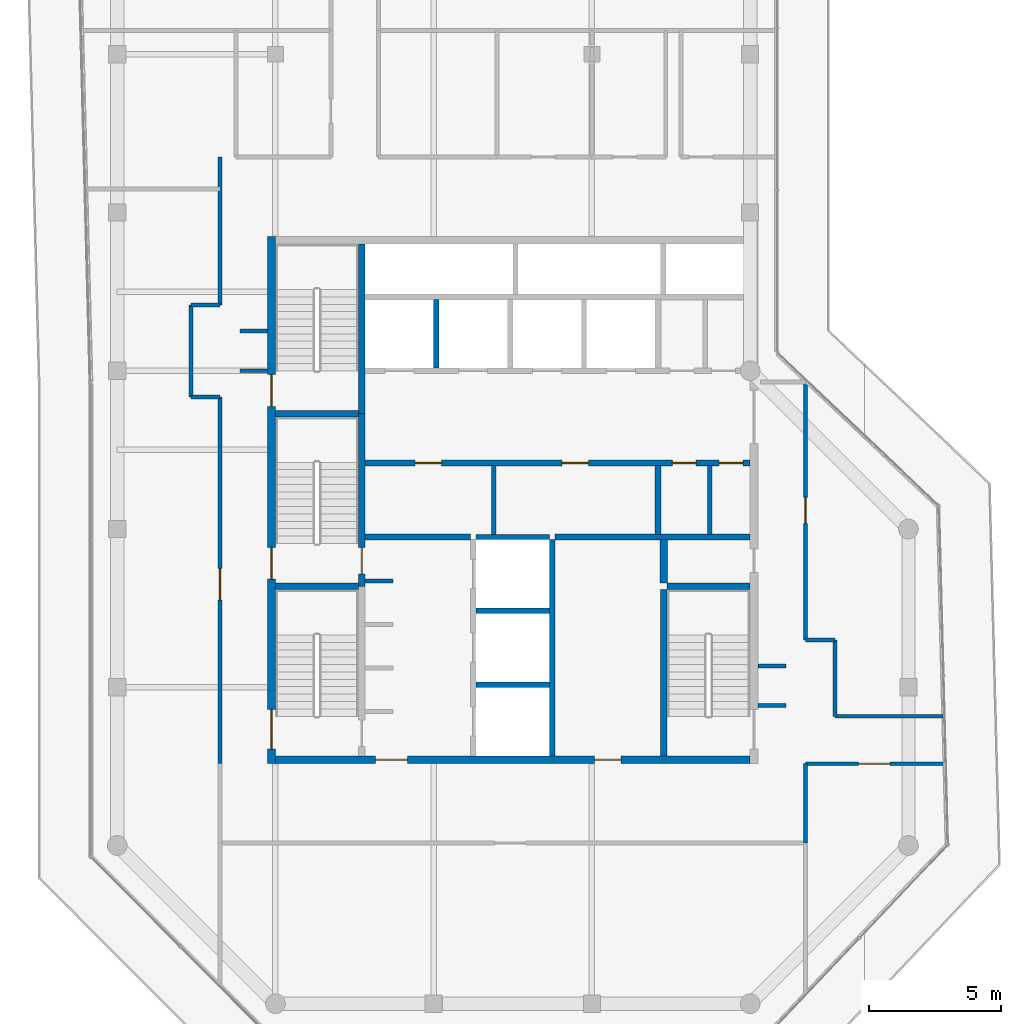
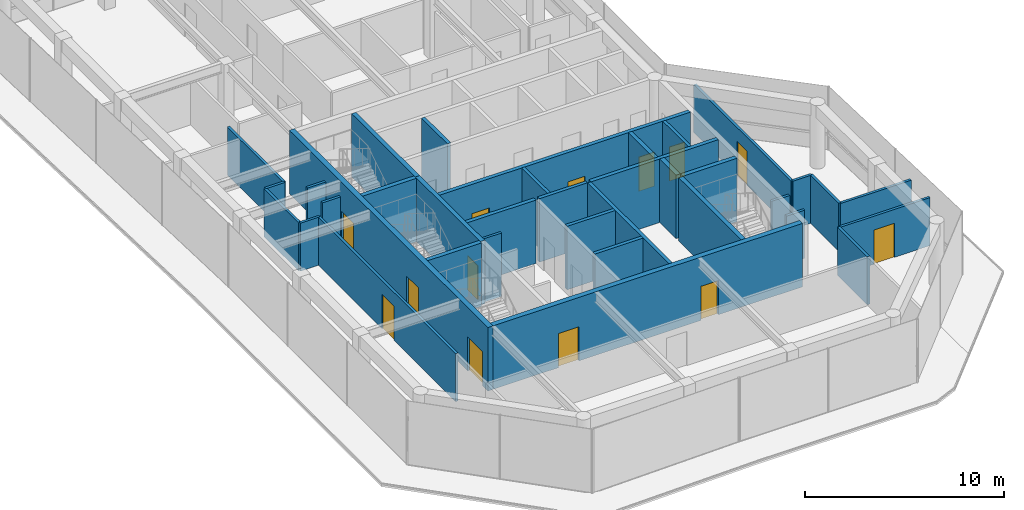
# One storey, part 16 of 20: 36 walls, 13 doors, 13 openings.
"""IFC4 building model written with IfcOpenShell, lengths in metres."""

from ifc_helpers import new_model, si_unit, direction, frame, frame_2d, origin, place, context, subcontext, project, spatial, rectangle, extrude, material, layer, layer_set, type_object, element, fill, save


model = new_model("IFC4")

# Units and contexts
model_context = context("Model", 3, precision=1e-05, world=origin(), true_north=direction((0.0, 1.0)))
body_context = subcontext(model_context, "Body", "Model", "MODEL_VIEW")
ifc_project = project(units=[si_unit("LENGTHUNIT", "METRE"), si_unit("AREAUNIT", "SQUARE_METRE"), si_unit("VOLUMEUNIT", "CUBIC_METRE"), si_unit("PLANEANGLEUNIT", "RADIAN"), si_unit("MASSUNIT", "GRAM", prefix="KILO")], contexts=[model_context])

# Site, building, storey
site_placement = place(None, origin())
site = spatial("IfcSite", under=ifc_project, at=site_placement, CompositionType="ELEMENT")
building_placement = place(site_placement, origin())
building = spatial("IfcBuilding", under=site, at=building_placement, Name="Welwitschia Terrace Campus", CompositionType="ELEMENT")
storey_placement = place(building_placement, frame((0.0, 0.0, 327.199951171875)))
storey = spatial("IfcBuildingStorey", under=building, at=storey_placement, Name="L73", CompositionType="ELEMENT", Elevation=327.199951171875)

# Walls
ifc_material_1 = material(Name="Concrete C32/40", Category="concrete")
ifc_layer_1 = layer(ifc_material_1, 0.175048828125)
ifc_layer_set_1 = layer_set([ifc_layer_1], Name="Concrete C32/40")
wall_type_1 = type_object("IfcWallType", Name="Core partition 175 Concrete C32/40", PredefinedType="PARTITIONING", material=ifc_layer_set_1)
for number, where, z_axis, x_axis, name in (
    (1, (14.27490234375, 13.800048828125, 0.0), (0.0, 0.0, 1.0), (0.0, 1.0, 0.0), "Core partition"),
    (2, (22.469970703125, 13.800048828125, 0.0), (0.0, 0.0, 1.0), (0.0, 1.0, 0.0), "Core partition"),
):
    element("IfcWall", number, at=place(storey_placement, frame(where, z_axis=z_axis, x_axis=x_axis)), inside=storey, type_object=wall_type_1, Name=name, PredefinedType="PARTITIONING", context=body_context, shape_type="SweptSolid", body=[
        extrude(rectangle(XDim=2.599853515625, YDim=0.175048828125, at=frame_2d((1.2998046875, 0.0))), origin(), (0.0, 0.0, 1.0), 3.900146484375),
    ])
ifc_material_2 = material(Name="Concrete C32/40", Category="concrete")
ifc_layer_2 = layer(ifc_material_2, 0.22509765625)
ifc_layer_set_2 = layer_set([ifc_layer_2], Name="Concrete C32/40")
wall_type_2 = type_object("IfcWallType", Name="Core partition 225 Concrete C32/40", PredefinedType="PARTITIONING", material=ifc_layer_set_2)
wall_1_placement = place(storey_placement, frame((9.39990234375, 13.699951171875, 0.0), z_axis=(0.0, 0.0, 1.0), x_axis=(1.0, 0.0, 0.0)))
element("IfcWall", 3, at=wall_1_placement, inside=storey, type_object=wall_type_2, Name="Core partition", PredefinedType="PARTITIONING", context=body_context, shape_type="SweptSolid", body=[
    extrude(rectangle(XDim=4.0, YDim=0.22509765625, at=frame_2d((2.0, 0.0))), origin(), (0.0, 0.0, 1.0), 3.900146484375),
])
wall_2_placement = place(storey_placement, frame((16.60009765625, 13.699951171875, 0.0), z_axis=(0.0, 0.0, 1.0), x_axis=(1.0, 0.0, 0.0)))
element("IfcWall", 4, at=wall_2_placement, inside=storey, type_object=wall_type_2, Name="Core partition", PredefinedType="PARTITIONING", context=body_context, shape_type="SweptSolid", body=[
    extrude(rectangle(XDim=7.39990234375, YDim=0.22509765625, at=frame_2d((3.699951171875, 0.0))), origin(), (0.0, 0.0, 1.0), 3.900146484375),
])

# Wall, openings, doors
wall_3_placement = place(storey_placement, frame((9.39990234375, 16.5, 0.0), z_axis=(0.0, 0.0, 1.0), x_axis=(1.0, 0.0, 0.0)))
wall_3 = element("IfcWall", 5, at=wall_3_placement, inside=storey, type_object=wall_type_2, Name="Core partition", PredefinedType="PARTITIONING", context=body_context, shape_type="SweptSolid", body=[
    extrude(rectangle(XDim=14.60009765625, YDim=0.22509765625, at=frame_2d((7.300048828125, 0.0))), origin(), (0.0, 0.0, 1.0), 3.900146484375),
])
opening_1_placement = place(wall_3_placement, frame((1.89990234375, 0.0, 0.0)))
opening_1 = element("IfcOpeningElement", 6, at=opening_1_placement, cuts=wall_3, Name="Opening DR10", PredefinedType="OPENING", context=body_context, shape_type="SweptSolid", body=[
    extrude(rectangle(XDim=1.0, YDim=2.10009765625, at=frame_2d((0.5, 1.050048828125))), frame((0.0, 0.12255859375, 0.0), z_axis=(0.0, -1.0, 0.0), x_axis=(1.0, 0.0, 0.0)), (0.0, 0.0, 1.0), 0.2451171875),
])
opening_2_placement = place(wall_3_placement, frame((7.47509765625, 0.0, 0.0)))
opening_2 = element("IfcOpeningElement", 7, at=opening_2_placement, cuts=wall_3, Name="Opening DR10", PredefinedType="OPENING", context=body_context, shape_type="SweptSolid", body=[
    extrude(rectangle(XDim=1.0, YDim=2.10009765625, at=frame_2d((0.5, 1.050048828125))), frame((0.0, 0.12255859375, 0.0), z_axis=(0.0, -1.0, 0.0), x_axis=(1.0, 0.0, 0.0)), (0.0, 0.0, 1.0), 0.2451171875),
])
opening_3_placement = place(wall_3_placement, frame((11.6474609375, 0.0, 0.0)))
opening_3 = element("IfcOpeningElement", 8, at=opening_3_placement, cuts=wall_3, Name="Opening DR09", PredefinedType="OPENING", context=body_context, shape_type="SweptSolid", body=[
    extrude(rectangle(XDim=0.89990234375, YDim=2.10009765625, at=frame_2d((0.449951171875, 1.050048828125))), frame((0.0, 0.12255859375, 0.0), z_axis=(0.0, -1.0, 0.0), x_axis=(1.0, 0.0, 0.0)), (0.0, 0.0, 1.0), 0.2451171875),
])
opening_4_placement = place(wall_3_placement, frame((13.422607421875, 0.0, 0.0)))
opening_4 = element("IfcOpeningElement", 9, at=opening_4_placement, cuts=wall_3, Name="Opening DR09", PredefinedType="OPENING", context=body_context, shape_type="SweptSolid", body=[
    extrude(rectangle(XDim=0.89990234375, YDim=2.10009765625, at=frame_2d((0.449951171875, 1.050048828125))), frame((0.0, 0.12255859375, 0.0), z_axis=(0.0, -1.0, 0.0), x_axis=(1.0, 0.0, 0.0)), (0.0, 0.0, 1.0), 0.2451171875),
])
ifc_material_3 = material(Name="Steel S275", Category="steel")
door_type_1 = type_object("IfcDoorType", Name="Core door DR09", OperationType="SINGLE_SWING_LEFT", PredefinedType="DOOR", material=ifc_material_3)
door_1_placement = place(opening_3_placement, origin())
door_1 = element("IfcDoor", 10, at=door_1_placement, inside=storey, type_object=door_type_1, Name="Door EL1-D", OperationType="SINGLE_SWING_RIGHT", OverallHeight=2.10009765625, OverallWidth=0.89990234375, PredefinedType="DOOR", context=body_context, shape_type="SweptSolid", body=[
    extrude(rectangle(XDim=0.89990234375, YDim=2.10009765625, at=frame_2d((0.449951171875, 1.050048828125))), frame((0.0, 0.02490234375, 0.0), z_axis=(0.0, -1.0, 0.0), x_axis=(1.0, 0.0, 0.0)), (0.0, 0.0, 1.0), 0.050048828125),
])
fill(opening_3, door_1)
door_2_placement = place(opening_4_placement, origin())
door_2 = element("IfcDoor", 11, at=door_2_placement, inside=storey, type_object=door_type_1, Name="Door EL2-D", OperationType="SINGLE_SWING_RIGHT", OverallHeight=2.10009765625, OverallWidth=0.89990234375, PredefinedType="DOOR", context=body_context, shape_type="SweptSolid", body=[
    extrude(rectangle(XDim=0.89990234375, YDim=2.10009765625, at=frame_2d((0.449951171875, 1.050048828125))), frame((0.0, 0.02490234375, 0.0), z_axis=(0.0, -1.0, 0.0), x_axis=(1.0, 0.0, 0.0)), (0.0, 0.0, 1.0), 0.050048828125),
])
fill(opening_4, door_2)
ifc_material_4 = material(Name="Steel S275", Category="steel")
door_type_2 = type_object("IfcDoorType", Name="Core door DR10", OperationType="SINGLE_SWING_LEFT", PredefinedType="DOOR", material=ifc_material_4)
door_3_placement = place(opening_1_placement, origin())
door_3 = element("IfcDoor", 12, at=door_3_placement, inside=storey, type_object=door_type_2, Name="Door BAYL1-D", OperationType="SINGLE_SWING_LEFT", OverallHeight=2.10009765625, OverallWidth=1.0, PredefinedType="DOOR", context=body_context, shape_type="SweptSolid", body=[
    extrude(rectangle(XDim=1.0, YDim=2.10009765625, at=frame_2d((0.5, 1.050048828125))), frame((0.0, 0.02490234375, 0.0), z_axis=(0.0, -1.0, 0.0), x_axis=(1.0, 0.0, 0.0)), (0.0, 0.0, 1.0), 0.050048828125),
])
fill(opening_1, door_3)
door_4_placement = place(opening_2_placement, origin())
door_4 = element("IfcDoor", 13, at=door_4_placement, inside=storey, type_object=door_type_2, Name="Door BAYL2-D", OperationType="SINGLE_SWING_RIGHT", OverallHeight=2.10009765625, OverallWidth=1.0, PredefinedType="DOOR", context=body_context, shape_type="SweptSolid", body=[
    extrude(rectangle(XDim=1.0, YDim=2.10009765625, at=frame_2d((0.5, 1.050048828125))), frame((0.0, 0.02490234375, 0.0), z_axis=(0.0, -1.0, 0.0), x_axis=(1.0, 0.0, 0.0)), (0.0, 0.0, 1.0), 0.050048828125),
])
fill(opening_2, door_4)

# Walls
wall_4_placement = place(storey_placement, frame((20.5, 13.800048828125, 0.0), z_axis=(0.0, 0.0, 1.0), x_axis=(0.0, 1.0, 0.0)))
element("IfcWall", 14, at=wall_4_placement, inside=storey, type_object=wall_type_2, Name="Core partition", PredefinedType="PARTITIONING", context=body_context, shape_type="SweptSolid", body=[
    extrude(rectangle(XDim=2.599853515625, YDim=0.22509765625, at=frame_2d((1.2998046875, 0.0))), origin(), (0.0, 0.0, 1.0), 3.900146484375),
])
ifc_material_5 = material(Name="Concrete C32/40", Category="concrete")
ifc_layer_3 = layer(ifc_material_5, 0.27490234375)
ifc_layer_set_3 = layer_set([ifc_layer_3], Name="Concrete C32/40")
wall_type_3 = type_object("IfcWallType", Name="Core partition 275 Concrete C32/40", PredefinedType="PARTITIONING", material=ifc_layer_set_3)
wall_5_placement = place(storey_placement, frame((20.72509765625, 11.949951171875, 0.0), z_axis=(0.0, 0.0, 1.0), x_axis=(0.0, 1.0, 0.0)))
element("IfcWall", 15, at=wall_5_placement, inside=storey, type_object=wall_type_3, Name="Core partition", PredefinedType="PARTITIONING", context=body_context, shape_type="SweptSolid", body=[
    extrude(rectangle(XDim=1.650146484375, YDim=0.27490234375, at=frame_2d((0.8251953125, 0.0))), origin(), (0.0, 0.0, 1.0), 3.900146484375),
])
ifc_material_6 = material(Name="Concrete C50/60", Category="concrete")
ifc_layer_4 = layer(ifc_material_6, 0.14990234375)
ifc_layer_set_4 = layer_set([ifc_layer_4], Name="Concrete C50/60")
wall_type_4 = type_object("IfcWallType", Name="Core wall 150 Concrete C50/60", PredefinedType="SHEAR", material=ifc_layer_set_4)
wall_6_placement = place(storey_placement, frame((9.39990234375, 12.02490234375, 0.0), z_axis=(0.0, 0.0, 1.0), x_axis=(1.0, 0.0, 0.0)))
element("IfcWall", 16, at=wall_6_placement, inside=storey, type_object=wall_type_4, Name="Core wall", PredefinedType="SHEAR", context=body_context, shape_type="SweptSolid", body=[
    extrude(rectangle(XDim=1.050048828125, YDim=0.14990234375, at=frame_2d((0.52490234375, 0.0))), origin(), (0.0, 0.0, 1.0), 3.900146484375),
])
ifc_material_7 = material(Name="Concrete C50/60", Category="concrete")
ifc_layer_5 = layer(ifc_material_7, 0.199951171875)
ifc_layer_set_5 = layer_set([ifc_layer_5], Name="Concrete C50/60")
wall_type_5 = type_object("IfcWallType", Name="Core wall 200 Concrete C50/60", PredefinedType="SHEAR", material=ifc_layer_set_5)
for number, where, z_axis, x_axis, name in (
    (17, (13.60009765625, 8.10009765625, 0.0), (0.0, 0.0, 1.0), (1.0, 0.0, 0.0), "Core wall"),
    (18, (13.60009765625, 10.89990234375, 0.0), (0.0, 0.0, 1.0), (1.0, 0.0, 0.0), "Core wall"),
    (19, (13.60009765625, 13.699951171875, 0.0), (0.0, 0.0, 1.0), (1.0, 0.0, 0.0), "Core wall"),
):
    element("IfcWall", number, at=place(storey_placement, frame(where, z_axis=z_axis, x_axis=x_axis)), inside=storey, type_object=wall_type_5, Name=name, PredefinedType="SHEAR", context=body_context, shape_type="SweptSolid", body=[
        extrude(rectangle(XDim=2.7998046875, YDim=0.199951171875, at=frame_2d((1.39990234375, 0.0))), origin(), (0.0, 0.0, 1.0), 3.900146484375),
    ])
wall_7_placement = place(storey_placement, frame((16.5, 5.39990234375, 0.0), z_axis=(0.0, 0.0, 1.0), x_axis=(0.0, 1.0, 0.0)))
element("IfcWall", 20, at=wall_7_placement, inside=storey, type_object=wall_type_5, Name="Core wall", PredefinedType="SHEAR", context=body_context, shape_type="SweptSolid", body=[
    extrude(rectangle(XDim=8.2001953125, YDim=0.199951171875, at=frame_2d((4.10009765625, 0.0))), origin(), (0.0, 0.0, 1.0), 3.900146484375),
])
ifc_material_8 = material(Name="Concrete C50/60", Category="concrete")
ifc_layer_6 = layer(ifc_material_8, 0.25)
ifc_layer_set_6 = layer_set([ifc_layer_6], Name="Concrete C50/60")
wall_type_6 = type_object("IfcWallType", Name="Core wall 250 Concrete C50/60", PredefinedType="SHEAR", material=ifc_layer_set_6)
for number, where, z_axis, x_axis, name in (
    (21, (6.0, 11.824951171875, 0.0), (0.0, 0.0, 1.0), (1.0, 0.0, 0.0), "Core wall"),
    (22, (20.85009765625, 11.824951171875, 0.0), (0.0, 0.0, 1.0), (1.0, 0.0, 0.0), "Core wall"),
    (23, (6.0, 18.375, 0.0), (0.0, 0.0, 1.0), (1.0, 0.0, 0.0), "Core wall"),
):
    element("IfcWall", number, at=place(storey_placement, frame(where, z_axis=z_axis, x_axis=x_axis)), inside=storey, type_object=wall_type_6, Name=name, PredefinedType="SHEAR", context=body_context, shape_type="SweptSolid", body=[
        extrude(rectangle(XDim=3.14990234375, YDim=0.25, at=frame_2d((1.574951171875, 0.0))), origin(), (0.0, 0.0, 1.0), 3.900146484375),
    ])

# Wall, opening, door
wall_8_placement = place(storey_placement, frame((9.27490234375, 18.375, 0.0), z_axis=(0.0, 0.0, 1.0), x_axis=(0.0, -1.0, 0.0)))
wall_8 = element("IfcWall", 24, at=wall_8_placement, inside=storey, type_object=wall_type_6, Name="Core wall", PredefinedType="SHEAR", context=body_context, shape_type="SweptSolid", body=[
    extrude(rectangle(XDim=6.550048828125, YDim=0.25, at=frame_2d((3.27490234375, 0.0))), origin(), (0.0, 0.0, 1.0), 3.900146484375),
])
opening_5_placement = place(wall_8_placement, frame((5.074951171875, 0.0, 0.0)))
opening_5 = element("IfcOpeningElement", 25, at=opening_5_placement, cuts=wall_8, Name="Opening DS10", PredefinedType="OPENING", context=body_context, shape_type="SweptSolid", body=[
    extrude(rectangle(XDim=1.0, YDim=2.10009765625, at=frame_2d((0.5, 1.050048828125))), frame((0.0, 0.135009765625, 0.0), z_axis=(0.0, -1.0, 0.0), x_axis=(1.0, 0.0, 0.0)), (0.0, 0.0, 1.0), 0.27001953125),
])
ifc_material_9 = material(Name="Steel S275", Category="steel")
door_type_3 = type_object("IfcDoorType", Name="Core door DS10", OperationType="SINGLE_SWING_LEFT", PredefinedType="DOOR", material=ifc_material_9)
door_5_placement = place(opening_5_placement, origin())
door_5 = element("IfcDoor", 26, at=door_5_placement, inside=storey, type_object=door_type_3, Name="Door S3-FL", OperationType="SINGLE_SWING_RIGHT", OverallHeight=2.10009765625, OverallWidth=1.0, PredefinedType="DOOR", context=body_context, shape_type="SweptSolid", body=[
    extrude(rectangle(XDim=1.0, YDim=2.10009765625, at=frame_2d((0.5, 1.050048828125))), frame((0.0, 0.02490234375, 0.0), z_axis=(0.0, -1.0, 0.0), x_axis=(1.0, 0.0, 0.0)), (0.0, 0.0, 1.0), 0.050048828125),
])
fill(opening_5, door_5)

# Walls
wall_9_placement = place(storey_placement, frame((9.27490234375, 18.375, 0.0), z_axis=(0.0, 0.0, 1.0), x_axis=(0.0, 1.0, 0.0)))
element("IfcWall", 27, at=wall_9_placement, inside=storey, type_object=wall_type_6, Name="Core wall", PredefinedType="SHEAR", context=body_context, shape_type="SweptSolid", body=[
    extrude(rectangle(XDim=6.425048828125, YDim=0.25, at=frame_2d((3.21240234375, 0.0))), origin(), (0.0, 0.0, 1.0), 3.900146484375),
])
wall_10_placement = place(storey_placement, frame((20.72509765625, 5.39990234375, 0.0), z_axis=(0.0, 0.0, 1.0), x_axis=(0.0, 1.0, 0.0)))
element("IfcWall", 28, at=wall_10_placement, inside=storey, type_object=wall_type_6, Name="Core wall", PredefinedType="SHEAR", context=body_context, shape_type="SweptSolid", body=[
    extrude(rectangle(XDim=6.300048828125, YDim=0.25, at=frame_2d((3.14990234375, 0.0))), origin(), (0.0, 0.0, 1.0), 3.900146484375),
])

# Wall, openings, doors
ifc_material_10 = material(Name="Concrete C50/60", Category="concrete")
ifc_layer_7 = layer(ifc_material_10, 0.300048828125)
ifc_layer_set_7 = layer_set([ifc_layer_7], Name="Concrete C50/60")
wall_type_7 = type_object("IfcWallType", Name="Core wall 300 Concrete C50/60", PredefinedType="SHEAR", material=ifc_layer_set_7)
wall_11_placement = place(storey_placement, frame((5.85009765625, 5.10009765625, 0.0), z_axis=(0.0, 0.0, 1.0), x_axis=(0.0, 1.0, 0.0)))
wall_11 = element("IfcWall", 29, at=wall_11_placement, inside=storey, type_object=wall_type_7, Name="Core outer wall", PredefinedType="SHEAR", context=body_context, shape_type="SweptSolid", body=[
    extrude(rectangle(XDim=20.0, YDim=0.300048828125, at=frame_2d((10.0, 0.0))), origin(), (0.0, 0.0, 1.0), 3.900146484375),
])
opening_6_placement = place(wall_11_placement, frame((0.550048828125, 0.0, 0.0)))
opening_6 = element("IfcOpeningElement", 30, at=opening_6_placement, cuts=wall_11, Name="Opening DS15", PredefinedType="OPENING", context=body_context, shape_type="SweptSolid", body=[
    extrude(rectangle(XDim=1.5, YDim=2.10009765625, at=frame_2d((0.75, 1.050048828125))), frame((0.0, 0.159912109375, 0.0), z_axis=(0.0, -1.0, 0.0), x_axis=(1.0, 0.0, 0.0)), (0.0, 0.0, 1.0), 0.320068359375),
])
opening_7_placement = place(wall_11_placement, frame((7.0, 0.0, 0.0)))
opening_7 = element("IfcOpeningElement", 31, at=opening_7_placement, cuts=wall_11, Name="Opening DS12", PredefinedType="OPENING", context=body_context, shape_type="SweptSolid", body=[
    extrude(rectangle(XDim=1.199951171875, YDim=2.10009765625, at=frame_2d((0.60009765625, 1.050048828125))), frame((0.0, 0.159912109375, 0.0), z_axis=(0.0, -1.0, 0.0), x_axis=(1.0, 0.0, 0.0)), (0.0, 0.0, 1.0), 0.320068359375),
])
opening_8_placement = place(wall_11_placement, frame((13.550048828125, 0.0, 0.0)))
opening_8 = element("IfcOpeningElement", 32, at=opening_8_placement, cuts=wall_11, Name="Opening DS12", PredefinedType="OPENING", context=body_context, shape_type="SweptSolid", body=[
    extrude(rectangle(XDim=1.199951171875, YDim=2.10009765625, at=frame_2d((0.60009765625, 1.050048828125))), frame((0.0, 0.159912109375, 0.0), z_axis=(0.0, -1.0, 0.0), x_axis=(1.0, 0.0, 0.0)), (0.0, 0.0, 1.0), 0.320068359375),
])
ifc_material_11 = material(Name="Steel S275", Category="steel")
door_type_4 = type_object("IfcDoorType", Name="Core door DS12", OperationType="SINGLE_SWING_LEFT", PredefinedType="DOOR", material=ifc_material_11)
door_6_placement = place(opening_7_placement, origin())
door_6 = element("IfcDoor", 33, at=door_6_placement, inside=storey, type_object=door_type_4, Name="Door S3-out", OperationType="SINGLE_SWING_LEFT", OverallHeight=2.10009765625, OverallWidth=1.199951171875, PredefinedType="DOOR", context=body_context, shape_type="SweptSolid", body=[
    extrude(rectangle(XDim=1.199951171875, YDim=2.10009765625, at=frame_2d((0.60009765625, 1.050048828125))), frame((0.0, 0.02490234375, 0.0), z_axis=(0.0, -1.0, 0.0), x_axis=(1.0, 0.0, 0.0)), (0.0, 0.0, 1.0), 0.050048828125),
])
fill(opening_7, door_6)
door_7_placement = place(opening_8_placement, origin())
door_7 = element("IfcDoor", 34, at=door_7_placement, inside=storey, type_object=door_type_4, Name="Door S4-out", OperationType="SINGLE_SWING_RIGHT", OverallHeight=2.10009765625, OverallWidth=1.199951171875, PredefinedType="DOOR", context=body_context, shape_type="SweptSolid", body=[
    extrude(rectangle(XDim=1.199951171875, YDim=2.10009765625, at=frame_2d((0.60009765625, 1.050048828125))), frame((0.0, 0.02490234375, 0.0), z_axis=(0.0, -1.0, 0.0), x_axis=(1.0, 0.0, 0.0)), (0.0, 0.0, 1.0), 0.050048828125),
])
fill(opening_8, door_7)
ifc_material_12 = material(Name="Steel S275", Category="steel")
door_type_5 = type_object("IfcDoorType", Name="Core door DS15", OperationType="DOUBLE_DOOR_SINGLE_SWING", PredefinedType="DOOR", material=ifc_material_12)
door_8_placement = place(opening_6_placement, origin())
door_8 = element("IfcDoor", 35, at=door_8_placement, inside=storey, type_object=door_type_5, Name="Door S1-out", OperationType="DOUBLE_DOOR_SINGLE_SWING", OverallHeight=2.10009765625, OverallWidth=1.5, PredefinedType="DOOR", context=body_context, shape_type="SweptSolid", body=[
    extrude(rectangle(XDim=1.5, YDim=2.10009765625, at=frame_2d((0.75, 1.050048828125))), frame((0.0, 0.02490234375, 0.0), z_axis=(0.0, -1.0, 0.0), x_axis=(1.0, 0.0, 0.0)), (0.0, 0.0, 1.0), 0.050048828125),
])
fill(opening_6, door_8)

wall_12_placement = place(storey_placement, frame((24.0, 5.25, 0.0), z_axis=(0.0, 0.0, 1.0), x_axis=(-1.0, 0.0, 0.0)))
wall_12 = element("IfcWall", 36, at=wall_12_placement, inside=storey, type_object=wall_type_7, Name="Core outer wall", PredefinedType="SHEAR", context=body_context, shape_type="SweptSolid", body=[
    extrude(rectangle(XDim=18.0, YDim=0.300048828125, at=frame_2d((9.0, 0.0))), origin(), (0.0, 0.0, 1.0), 3.900146484375),
])
opening_9_placement = place(wall_12_placement, frame((13.0, 0.0, 0.0)))
opening_9 = element("IfcOpeningElement", 37, at=opening_9_placement, cuts=wall_12, Name="Opening DF12", PredefinedType="OPENING", context=body_context, shape_type="SweptSolid", body=[
    extrude(rectangle(XDim=1.199951171875, YDim=2.10009765625, at=frame_2d((0.60009765625, 1.050048828125))), frame((0.0, 0.159912109375, 0.0), z_axis=(0.0, -1.0, 0.0), x_axis=(1.0, 0.0, 0.0)), (0.0, 0.0, 1.0), 0.320068359375),
])
opening_10_placement = place(wall_12_placement, frame((4.89990234375, 0.0, 0.0)))
opening_10 = element("IfcOpeningElement", 38, at=opening_10_placement, cuts=wall_12, Name="Opening DR10", PredefinedType="OPENING", context=body_context, shape_type="SweptSolid", body=[
    extrude(rectangle(XDim=1.0, YDim=2.10009765625, at=frame_2d((0.5, 1.050048828125))), frame((0.0, 0.159912109375, 0.0), z_axis=(0.0, -1.0, 0.0), x_axis=(1.0, 0.0, 0.0)), (0.0, 0.0, 1.0), 0.320068359375),
])
ifc_material_13 = material(Name="Steel S275", Category="steel")
door_type_6 = type_object("IfcDoorType", Name="Core door DF12", OperationType="SINGLE_SWING_LEFT", PredefinedType="DOOR", material=ifc_material_13)
door_9_placement = place(opening_9_placement, origin())
door_9 = element("IfcDoor", 39, at=door_9_placement, inside=storey, type_object=door_type_6, Name="Door FL-out", OperationType="SINGLE_SWING_RIGHT", OverallHeight=2.10009765625, OverallWidth=1.199951171875, PredefinedType="DOOR", context=body_context, shape_type="SweptSolid", body=[
    extrude(rectangle(XDim=1.199951171875, YDim=2.10009765625, at=frame_2d((0.60009765625, 1.050048828125))), frame((0.0, 0.02490234375, 0.0), z_axis=(0.0, -1.0, 0.0), x_axis=(1.0, 0.0, 0.0)), (0.0, 0.0, 1.0), 0.050048828125),
])
fill(opening_9, door_9)
door_10_placement = place(opening_10_placement, origin())
door_10 = element("IfcDoor", 40, at=door_10_placement, inside=storey, type_object=door_type_2, Name="Door F1-out", OperationType="SINGLE_SWING_LEFT", OverallHeight=2.10009765625, OverallWidth=1.0, PredefinedType="DOOR", context=body_context, shape_type="SweptSolid", body=[
    extrude(rectangle(XDim=1.0, YDim=2.10009765625, at=frame_2d((0.5, 1.050048828125))), frame((0.0, 0.02490234375, 0.0), z_axis=(0.0, -1.0, 0.0), x_axis=(1.0, 0.0, 0.0)), (0.0, 0.0, 1.0), 0.050048828125),
])
fill(opening_10, door_10)

# Walls
ifc_material_14 = material(Name="Gypsum board on steel studs", Category="steel")
ifc_layer_8 = layer(ifc_material_14, 0.14990234375)
ifc_layer_set_8 = layer_set([ifc_layer_8], Name="Gypsum board on steel studs")
wall_type_8 = type_object("IfcWallType", Name="Corridor partition 150 EI 30", PredefinedType="PARTITIONING", material=ifc_layer_set_8)
wall_13_placement = place(storey_placement, frame((2.7900390625, 19.0, 0.0), z_axis=(0.0, 0.0, 1.0), x_axis=(0.0, 1.0, 0.0)))
element("IfcWall", 41, at=wall_13_placement, inside=storey, type_object=wall_type_8, Name="Partition", PredefinedType="PARTITIONING", context=body_context, shape_type="SweptSolid", body=[
    extrude(rectangle(XDim=3.5, YDim=0.14990234375, at=frame_2d((1.75, 0.0))), origin(), (0.0, 0.0, 1.0), 2.949951171875),
])
for number, where, z_axis, x_axis, name in (
    (42, (2.7900390625, 19.0, 0.0), (0.0, 0.0, 1.0), (1.0, 0.0, 0.0), "Partition"),
    (43, (2.7900390625, 22.5, 0.0), (0.0, 0.0, 1.0), (1.0, 0.0, 0.0), "Partition"),
):
    element("IfcWall", number, at=place(storey_placement, frame(where, z_axis=z_axis, x_axis=x_axis)), inside=storey, type_object=wall_type_8, Name=name, PredefinedType="PARTITIONING", context=body_context, shape_type="SweptSolid", body=[
        extrude(rectangle(XDim=1.10986328125, YDim=0.14990234375, at=frame_2d((0.554931640625, 0.0))), origin(), (0.0, 0.0, 1.0), 2.949951171875),
    ])

# Wall, opening, door
wall_14_placement = place(storey_placement, frame((3.89990234375, 5.10009765625, 0.0), z_axis=(0.0, 0.0, 1.0), x_axis=(0.0, 1.0, 0.0)))
wall_14 = element("IfcWall", 44, at=wall_14_placement, inside=storey, type_object=wall_type_8, Name="Partition", PredefinedType="PARTITIONING", context=body_context, shape_type="SweptSolid", body=[
    extrude(rectangle(XDim=13.89990234375, YDim=0.14990234375, at=frame_2d((6.949951171875, 0.0))), origin(), (0.0, 0.0, 1.0), 2.949951171875),
])
opening_11_placement = place(wall_14_placement, frame((6.199951171875, 0.0, 0.0)))
opening_11 = element("IfcOpeningElement", 45, at=opening_11_placement, cuts=wall_14, Name="Opening DI12", PredefinedType="OPENING", context=body_context, shape_type="SweptSolid", body=[
    extrude(rectangle(XDim=1.199951171875, YDim=2.10009765625, at=frame_2d((0.60009765625, 1.050048828125))), frame((0.0, 0.0849609375, 0.0), z_axis=(0.0, -1.0, 0.0), x_axis=(1.0, 0.0, 0.0)), (0.0, 0.0, 1.0), 0.169921875),
])
ifc_material_15 = material(Name="Timber veneered door", Category="wood")
door_type_7 = type_object("IfcDoorType", Name="Interior door DI12", OperationType="NOTDEFINED", PredefinedType="DOOR", material=ifc_material_15)
door_11_placement = place(opening_11_placement, origin())
door_11 = element("IfcDoor", 46, at=door_11_placement, inside=storey, type_object=door_type_7, Name="Door L73 1268", OperationType="SINGLE_SWING_LEFT", OverallHeight=2.10009765625, OverallWidth=1.199951171875, PredefinedType="DOOR", context=body_context, shape_type="SweptSolid", body=[
    extrude(rectangle(XDim=1.199951171875, YDim=2.10009765625, at=frame_2d((0.60009765625, 1.050048828125))), frame((0.0, 0.02490234375, 0.0), z_axis=(0.0, -1.0, 0.0), x_axis=(1.0, 0.0, 0.0)), (0.0, 0.0, 1.0), 0.050048828125),
])
fill(opening_11, door_11)

# Walls
wall_15_placement = place(storey_placement, frame((3.89990234375, 22.5, 0.0), z_axis=(0.0, 0.0, 1.0), x_axis=(0.0, 1.0, 0.0)))
element("IfcWall", 47, at=wall_15_placement, inside=storey, type_object=wall_type_8, Name="Partition", PredefinedType="PARTITIONING", context=body_context, shape_type="SweptSolid", body=[
    extrude(rectangle(XDim=5.60009765625, YDim=0.14990234375, at=frame_2d((2.800048828125, 0.0))), origin(), (0.0, 0.0, 1.0), 2.949951171875),
])
for number, where, z_axis, x_axis, name in (
    (48, (4.64990234375, 20.0, 0.0), (0.0, 0.0, 1.0), (1.0, 0.0, 0.0), "Partition"),
    (49, (4.64990234375, 21.5, 0.0), (0.0, 0.0, 1.0), (1.0, 0.0, 0.0), "Partition"),
    (50, (24.300048828125, 7.300048828125, 0.0), (0.0, 0.0, 1.0), (1.0, 0.0, 0.0), "Partition"),
    (51, (24.300048828125, 8.800048828125, 0.0), (0.0, 0.0, 1.0), (1.0, 0.0, 0.0), "Partition"),
):
    element("IfcWall", number, at=place(storey_placement, frame(where, z_axis=z_axis, x_axis=x_axis)), inside=storey, type_object=wall_type_8, Name=name, PredefinedType="PARTITIONING", context=body_context, shape_type="SweptSolid", body=[
        extrude(rectangle(XDim=1.050048828125, YDim=0.14990234375, at=frame_2d((0.52490234375, 0.0))), origin(), (0.0, 0.0, 1.0), 2.949951171875),
    ])
wall_16_placement = place(storey_placement, frame((26.10009765625, 2.10009765625, 0.0), z_axis=(0.0, 0.0, 1.0), x_axis=(0.0, 1.0, 0.0)))
element("IfcWall", 52, at=wall_16_placement, inside=storey, type_object=wall_type_8, Name="Partition", PredefinedType="PARTITIONING", context=body_context, shape_type="SweptSolid", body=[
    extrude(rectangle(XDim=3.0, YDim=0.14990234375, at=frame_2d((1.5, 0.0))), origin(), (0.0, 0.0, 1.0), 2.949951171875),
])
wall_17_placement = place(storey_placement, frame((26.10009765625, 9.800048828125, 0.0), z_axis=(0.0, 0.0, 1.0), x_axis=(1.0, 0.0, 0.0)))
element("IfcWall", 53, at=wall_17_placement, inside=storey, type_object=wall_type_8, Name="Partition", PredefinedType="PARTITIONING", context=body_context, shape_type="SweptSolid", body=[
    extrude(rectangle(XDim=1.10986328125, YDim=0.14990234375, at=frame_2d((0.554931640625, 0.0))), origin(), (0.0, 0.0, 1.0), 2.949951171875),
])

# Wall, opening, door
wall_18_placement = place(storey_placement, frame((26.10009765625, 19.580078125, 0.0), z_axis=(0.0, 0.0, 1.0), x_axis=(0.0, -1.0, 0.0)))
wall_18 = element("IfcWall", 54, at=wall_18_placement, inside=storey, type_object=wall_type_8, Name="Partition", PredefinedType="PARTITIONING", context=body_context, shape_type="SweptSolid", body=[
    extrude(rectangle(XDim=9.780029296875, YDim=0.14990234375, at=frame_2d((4.89013671875, 0.0))), origin(), (0.0, 0.0, 1.0), 2.949951171875),
])
opening_12_placement = place(wall_18_placement, frame((4.3798828125, 0.0, 0.0)))
opening_12 = element("IfcOpeningElement", 55, at=opening_12_placement, cuts=wall_18, Name="Opening DI10", PredefinedType="OPENING", context=body_context, shape_type="SweptSolid", body=[
    extrude(rectangle(XDim=1.0, YDim=2.10009765625, at=frame_2d((0.5, 1.050048828125))), frame((0.0, 0.0849609375, 0.0), z_axis=(0.0, -1.0, 0.0), x_axis=(1.0, 0.0, 0.0)), (0.0, 0.0, 1.0), 0.169921875),
])
ifc_material_16 = material(Name="Timber veneered door", Category="wood")
door_type_8 = type_object("IfcDoorType", Name="Interior door DI10", OperationType="NOTDEFINED", PredefinedType="DOOR", material=ifc_material_16)
door_12_placement = place(opening_12_placement, origin())
door_12 = element("IfcDoor", 56, at=door_12_placement, inside=storey, type_object=door_type_8, Name="Door L73 1277", OperationType="SINGLE_SWING_RIGHT", OverallHeight=2.10009765625, OverallWidth=1.0, PredefinedType="DOOR", context=body_context, shape_type="SweptSolid", body=[
    extrude(rectangle(XDim=1.0, YDim=2.10009765625, at=frame_2d((0.5, 1.050048828125))), frame((0.0, 0.02490234375, 0.0), z_axis=(0.0, -1.0, 0.0), x_axis=(1.0, 0.0, 0.0)), (0.0, 0.0, 1.0), 0.050048828125),
])
fill(opening_12, door_12)

# Walls
wall_19_placement = place(storey_placement, frame((27.2099609375, 6.89990234375, 0.0), z_axis=(0.0, 0.0, 1.0), x_axis=(0.0, 1.0, 0.0)))
element("IfcWall", 57, at=wall_19_placement, inside=storey, type_object=wall_type_8, Name="Partition", PredefinedType="PARTITIONING", context=body_context, shape_type="SweptSolid", body=[
    extrude(rectangle(XDim=2.900146484375, YDim=0.14990234375, at=frame_2d((1.4501953125, 0.0))), origin(), (0.0, 0.0, 1.0), 2.949951171875),
])
wall_20_placement = place(storey_placement, frame((27.2099609375, 6.89990234375, 0.0), z_axis=(0.0, 0.0, 1.0), x_axis=(1.0, 0.0, 0.0)))
element("IfcWall", 58, at=wall_20_placement, inside=storey, type_object=wall_type_8, Name="Partition", PredefinedType="PARTITIONING", context=body_context, shape_type="SweptSolid", body=[
    extrude(rectangle(XDim=4.110107421875, YDim=0.14990234375, at=frame_2d((2.05517578125, 0.0))), origin(), (0.0, 0.0, 1.0), 2.949951171875),
])

# Wall, opening, door
wall_21_placement = place(storey_placement, frame((31.3701171875, 5.10009765625, 0.0), z_axis=(0.0, 0.0, 1.0), x_axis=(-1.0, 0.0, 0.0)))
wall_21 = element("IfcWall", 59, at=wall_21_placement, inside=storey, type_object=wall_type_8, Name="Partition", PredefinedType="PARTITIONING", context=body_context, shape_type="SweptSolid", body=[
    extrude(rectangle(XDim=5.27001953125, YDim=0.14990234375, at=frame_2d((2.635009765625, 0.0))), origin(), (0.0, 0.0, 1.0), 2.949951171875),
])
opening_13_placement = place(wall_21_placement, frame((2.070068359375, 0.0, 0.0)))
opening_13 = element("IfcOpeningElement", 60, at=opening_13_placement, cuts=wall_21, Name="Opening DI12", PredefinedType="OPENING", context=body_context, shape_type="SweptSolid", body=[
    extrude(rectangle(XDim=1.199951171875, YDim=2.10009765625, at=frame_2d((0.60009765625, 1.050048828125))), frame((0.0, 0.0849609375, 0.0), z_axis=(0.0, -1.0, 0.0), x_axis=(1.0, 0.0, 0.0)), (0.0, 0.0, 1.0), 0.169921875),
])
door_13_placement = place(opening_13_placement, origin())
door_13 = element("IfcDoor", 61, at=door_13_placement, inside=storey, type_object=door_type_7, Name="Door L73 1278", OperationType="SINGLE_SWING_LEFT", OverallHeight=2.10009765625, OverallWidth=1.199951171875, PredefinedType="DOOR", context=body_context, shape_type="SweptSolid", body=[
    extrude(rectangle(XDim=1.199951171875, YDim=2.10009765625, at=frame_2d((0.60009765625, 1.050048828125))), frame((0.0, 0.02490234375, 0.0), z_axis=(0.0, -1.0, 0.0), x_axis=(1.0, 0.0, 0.0)), (0.0, 0.0, 1.0), 0.050048828125),
])
fill(opening_13, door_13)

# Wall
ifc_material_17 = material(Name="Concrete C32/40", Category="concrete")
ifc_layer_9 = layer(ifc_material_17, 0.199951171875)
ifc_layer_set_9 = layer_set([ifc_layer_9], Name="Concrete C32/40")
wall_type_9 = type_object("IfcWallType", Name="Shaft wall 200 Concrete C32/40", PredefinedType="SOLIDWALL", material=ifc_layer_set_9)
wall_22_placement = place(storey_placement, frame((12.10009765625, 20.10009765625, 0.0), z_axis=(0.0, 0.0, 1.0), x_axis=(0.0, 1.0, 0.0)))
element("IfcWall", 62, at=wall_22_placement, inside=storey, type_object=wall_type_9, Name="Shaft wall", PredefinedType="SOLIDWALL", context=body_context, shape_type="SweptSolid", body=[
    extrude(rectangle(XDim=2.599853515625, YDim=0.199951171875, at=frame_2d((1.2998046875, 0.0))), origin(), (0.0, 0.0, 1.0), 3.900146484375),
])

save(model, "model.ifc")
